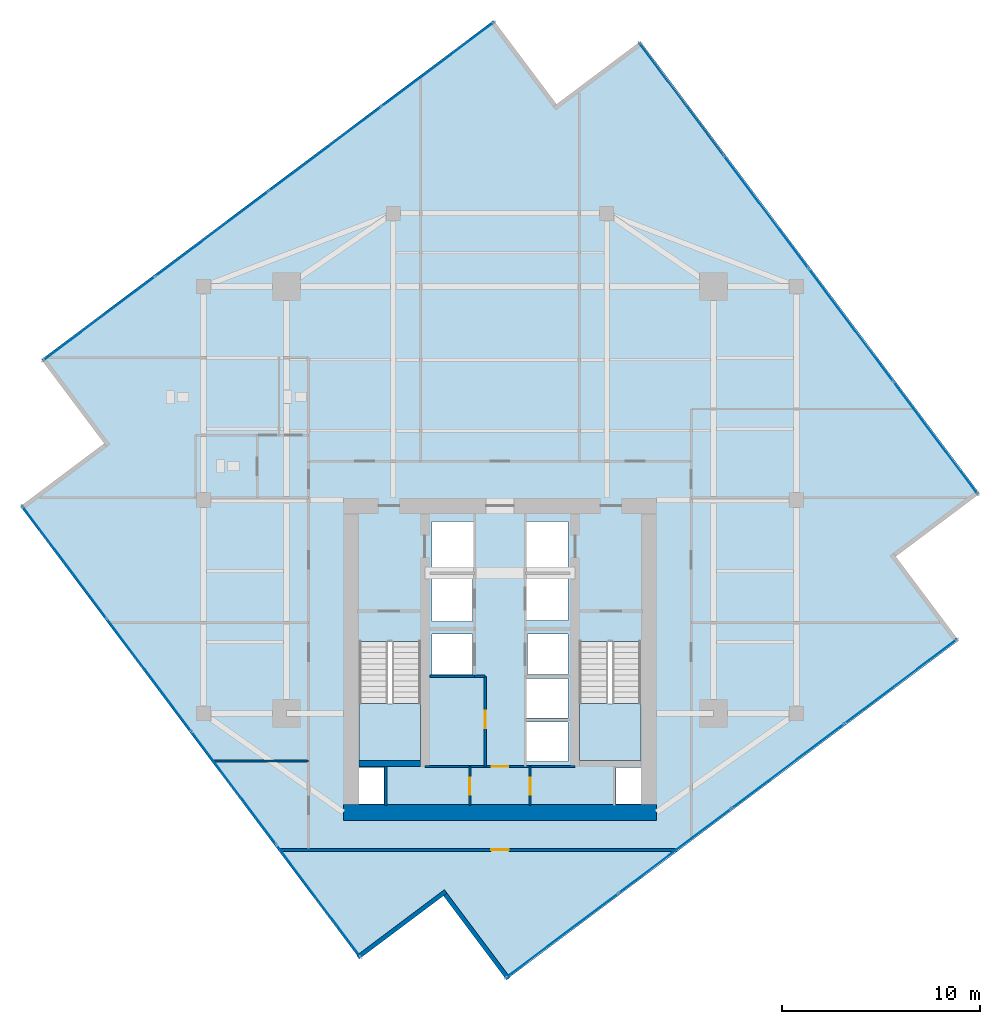
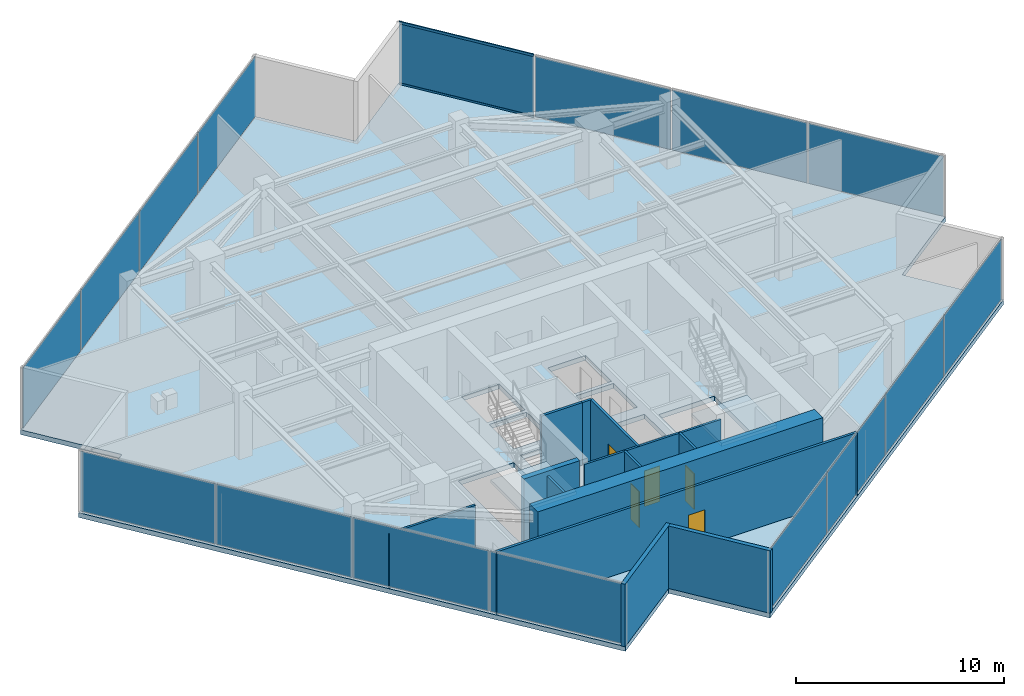
# One storey, part 17 of 21: 16 plates, 13 walls, 5 doors, 3 slabs, 2 members, 5 openings, 6 elements without a shape of their own.
"""IFC4 building model written with IfcOpenShell, lengths in metres."""

from ifc_helpers import new_model, si_unit, direction, frame, frame_2d, origin, origin_2d, place, context, subcontext, project, spatial, polyline, rectangle, hollow_rectangle, outline, extrude, source, transform, mapped, material, layer, layer_set, material_profile, profile_set, type_object, type_shapes, element, fill, aggregate, save


model = new_model("IFC4")

# Units and contexts
model_context = context("Model", 3, precision=1e-05, world=origin(), true_north=direction((0.0, 1.0)))
body_context = subcontext(model_context, "Body", "Model", "MODEL_VIEW")
ifc_project = project(units=[si_unit("LENGTHUNIT", "METRE"), si_unit("AREAUNIT", "SQUARE_METRE"), si_unit("VOLUMEUNIT", "CUBIC_METRE"), si_unit("PLANEANGLEUNIT", "RADIAN"), si_unit("MASSUNIT", "GRAM", prefix="KILO")], contexts=[model_context])

# Site, building, storey
site_placement = place(None, origin())
site = spatial("IfcSite", under=ifc_project, at=site_placement, CompositionType="ELEMENT")
building_placement = place(site_placement, origin())
building = spatial("IfcBuilding", under=site, at=building_placement, Name="Krantzveldt Concourse Tower", CompositionType="ELEMENT")
storey_placement = place(building_placement, frame((0.0, 0.0, 267.39990234375)))
storey = spatial("IfcBuildingStorey", under=building, at=storey_placement, Name="L65", CompositionType="ELEMENT", Elevation=267.39990234375)

# Curtain wall, members
ifc_material_1 = material(Name="Anodised aluminium 6063-T6", Category="aluminium")
curtain_wall_type = type_object("IfcCurtainWallType", Name="CW4", PredefinedType="USERDEFINED", material=ifc_material_1)
curtain_wall_1_placement = place(storey_placement, origin())
curtain_wall_1 = element("IfcCurtainWall", 1, at=curtain_wall_1_placement, inside=storey, type_object=curtain_wall_type, Name="CW-L65-F10", ObjectType="UNITISED CURTAIN WALL", PredefinedType="USERDEFINED")
ifc_material_profile = material_profile(ifc_material_1, hollow_rectangle(XDim=0.070068359375, YDim=0.139892578125, WallThickness=0.0048828125, at=origin_2d()), Name="Anodised aluminium 6063-T6", Category="aluminium")
ifc_profile_set = profile_set([ifc_material_profile], Name="Anodised aluminium 6063-T6 - ALU-TRAN 140x70x5")
member_type = type_object("IfcMemberType", Name="CW-TRN-150", PredefinedType="USERDEFINED", material=ifc_profile_set)
shared_shape_1 = source(origin(), body_context, "Body", "SweptSolid", [
    extrude(hollow_rectangle(XDim=0.070068359375, YDim=0.139892578125, WallThickness=0.0048828125, at=origin_2d()), origin(), (0.0, 0.0, 1.0), 7.044921875),
])
type_shapes(member_type, [shared_shape_1])
member_1_placement = place(storey_placement, frame((47.29541015625, 44.155029296875, 0.03515625), z_axis=(-0.600083168368, 0.799937616969, 0.0), x_axis=(-0.799937616969, -0.600083168368, 0.0)))
member_1 = element("IfcMember", 2, at=member_1_placement, type_object=member_type, Name="CW-Z56 transom 4.1", ObjectType="TRANSOM", PredefinedType="USERDEFINED", context=body_context, shape_type="MappedRepresentation", body=[
    mapped(shared_shape_1, transform((0.0, 0.0, 0.0), x_axis=(1.0, 0.0, 0.0), y_axis=(0.0, 1.0, 0.0), z_axis=(0.0, 0.0, 1.0), scale=1.0)),
])
member_2_placement = place(storey_placement, frame((47.29541015625, 44.155029296875, 3.635009765625), z_axis=(-0.600083168368, 0.799937616969, 0.0), x_axis=(-0.799937616969, -0.600083168368, 0.0)))
member_2 = element("IfcMember", 3, at=member_2_placement, type_object=member_type, Name="CW-Z56 transom 4.2", ObjectType="TRANSOM", PredefinedType="USERDEFINED", context=body_context, shape_type="MappedRepresentation", body=[
    mapped(shared_shape_1, transform((0.0, 0.0, 0.0), x_axis=(1.0, 0.0, 0.0), y_axis=(0.0, 1.0, 0.0), z_axis=(0.0, 0.0, 1.0), scale=1.0)),
])

# Stair, slab
ifc_material_2 = material(Name="Precast concrete C40/50", Category="concrete")
stair_type = type_object("IfcStairType", Name="STR-CORE-DOGLEG", PredefinedType="HALF_TURN_STAIR", material=ifc_material_2)
stair_1_placement = place(storey_placement, origin())
stair_1 = element("IfcStair", 4, at=stair_1_placement, inside=storey, type_object=stair_type, Name="L65 Protected Escape Stair ST-1", PredefinedType="HALF_TURN_STAIR")
ifc_layer_1 = layer(ifc_material_2, 0.199951171875, Name="Precast concrete C40/50", Category="concrete")
ifc_layer_set_1 = layer_set([ifc_layer_1], Name="Precast concrete C40/50 (SL-LANDING-200)")
slab_type_1 = type_object("IfcSlabType", Name="SL-LANDING-200", PredefinedType="LANDING", material=ifc_layer_set_1)
slab_1_placement = place(storey_placement, frame((0.0, 0.0, 1.775146484375)))
slab_1 = element("IfcSlab", 5, at=slab_1_placement, type_object=slab_type_1, Name="ST-1 landing 1", PredefinedType="LANDING", context=body_context, shape_type="SweptSolid", body=[
    extrude(outline(polyline([(28.8798828125, 16.4150390625), (28.8798828125, 13.52001953125), (31.97998046875, 13.52001953125), (31.97998046875, 16.4150390625), (28.8798828125, 16.4150390625)])), origin(), (0.0, 0.0, 1.0), 0.199951171875),
])
aggregate(stair_1, [slab_1])

stair_2_placement = place(storey_placement, origin())
stair_2 = element("IfcStair", 6, at=stair_2_placement, inside=storey, type_object=stair_type, Name="L65 Protected Escape Stair ST-2", PredefinedType="HALF_TURN_STAIR")
slab_2_placement = place(storey_placement, frame((0.0, 0.0, 1.775146484375)))
slab_2 = element("IfcSlab", 7, at=slab_2_placement, type_object=slab_type_1, Name="ST-2 landing 1", PredefinedType="LANDING", context=body_context, shape_type="SweptSolid", body=[
    extrude(outline(polyline([(40.02001953125, 16.4150390625), (40.02001953125, 13.52001953125), (43.1201171875, 13.52001953125), (43.1201171875, 16.4150390625), (40.02001953125, 16.4150390625)])), origin(), (0.0, 0.0, 1.0), 0.199951171875),
])
aggregate(stair_2, [slab_2])

# Slab
ifc_material_3 = material(Name="Concrete C40/50", Category="concrete")
ifc_layer_2 = layer(ifc_material_3, 0.280029296875, Name="Concrete C40/50", Category="concrete")
ifc_layer_set_2 = layer_set([ifc_layer_2], Name="Concrete C40/50 (SL-SL-TWR280)")
slab_type_2 = type_object("IfcSlabType", Name="SL-SL-TWR280", PredefinedType="FLOOR", material=ifc_layer_set_2)
slab_3_placement = place(storey_placement, frame((0.0, 0.0, -0.27978515625)))
element("IfcSlab", 8, at=slab_3_placement, inside=storey, type_object=slab_type_2, Name="SL-L65-MAIN", PredefinedType="FLOOR", context=body_context, shape_type="SweptSolid", body=[
    extrude(outline(polyline([(38.858154296875, 46.72021484375), (35.677734375, 50.9599609375), (12.79931640625, 33.7978515625), (15.979736328125, 29.55810546875), (11.739990234375, 26.3779296875), (28.902099609375, 3.499267578125), (33.141845703125, 6.6796875), (36.322265625, 2.43994140625), (59.20068359375, 19.60205078125), (56.020263671875, 23.841796875), (60.260009765625, 27.022216796875), (43.097900390625, 49.900634765625), (38.858154296875, 46.72021484375)]), holes=[polyline([(28.8798828125, 19.547607421875), (28.8798828125, 13.52001953125), (31.97998046875, 13.52001953125), (31.97998046875, 19.547607421875), (28.8798828125, 19.547607421875)]), polyline([(40.02001953125, 19.547607421875), (40.02001953125, 13.52001953125), (43.1201171875, 13.52001953125), (43.1201171875, 19.547607421875), (40.02001953125, 19.547607421875)]), polyline([(32.550048828125, 23.10009765625), (34.64990234375, 23.10009765625), (34.64990234375, 25.60009765625), (32.550048828125, 25.60009765625), (32.550048828125, 23.10009765625)]), polyline([(37.35009765625, 23.10009765625), (39.449951171875, 23.10009765625), (39.449951171875, 25.60009765625), (37.35009765625, 25.60009765625), (37.35009765625, 23.10009765625)]), polyline([(37.35009765625, 20.60009765625), (39.449951171875, 20.60009765625), (39.449951171875, 22.89990234375), (37.35009765625, 22.89990234375), (37.35009765625, 20.60009765625)]), polyline([(37.35009765625, 13.47998046875), (39.449951171875, 13.47998046875), (39.449951171875, 15.47998046875), (37.35009765625, 15.47998046875), (37.35009765625, 13.47998046875)]), polyline([(37.35009765625, 15.679931640625), (39.449951171875, 15.679931640625), (39.449951171875, 17.679931640625), (37.35009765625, 17.679931640625), (37.35009765625, 15.679931640625)]), polyline([(32.550048828125, 20.550048828125), (34.6201171875, 20.550048828125), (34.6201171875, 22.89990234375), (32.550048828125, 22.89990234375), (32.550048828125, 20.550048828125)]), polyline([(32.550048828125, 17.8798828125), (34.6201171875, 17.8798828125), (34.6201171875, 19.919921875), (32.550048828125, 19.919921875), (32.550048828125, 17.8798828125)]), polyline([(37.3798828125, 17.8798828125), (39.449951171875, 17.8798828125), (39.449951171875, 19.919921875), (37.3798828125, 19.919921875), (37.3798828125, 17.8798828125)]), polyline([(28.8798828125, 11.320068359375), (30.139892578125, 11.320068359375), (30.139892578125, 13.159912109375), (28.8798828125, 13.159912109375), (28.8798828125, 11.320068359375)]), polyline([(41.860107421875, 11.320068359375), (43.1201171875, 11.320068359375), (43.1201171875, 13.159912109375), (41.860107421875, 13.159912109375), (41.860107421875, 11.320068359375)])]), origin(), (0.0, 0.0, 1.0), 0.27978515625),
])

# Curtain wall, plates
curtain_wall_2_placement = place(storey_placement, origin())
curtain_wall_2 = element("IfcCurtainWall", 9, at=curtain_wall_2_placement, inside=storey, type_object=curtain_wall_type, Name="CW-L65-F01", ObjectType="UNITISED CURTAIN WALL", PredefinedType="USERDEFINED")
ifc_material_4 = material(Name="Bronze-tinted laminated low-E IGU glass", Category="glass")
ifc_layer_3 = layer(ifc_material_4, 0.031982421875, Name="Bronze-tinted laminated low-E IGU glass", Category="glass")
ifc_layer_set_3 = layer_set([ifc_layer_3], Name="Bronze-tinted laminated low-E IGU glass (CW-GLZ-32)")
plate_type = type_object("IfcPlateType", Name="CW-GLZ-32", PredefinedType="CURTAIN_PANEL", material=ifc_layer_set_3)
shared_shape_2 = source(origin(), body_context, "Body", "SweptSolid", [
    extrude(rectangle(XDim=7.044921875, YDim=0.031982421875, at=origin_2d()), origin(), (0.0, 0.0, 1.0), 3.530029296875),
])
plate_1_placement = place(storey_placement, frame((32.858154296875, 48.732177734375, 0.0703125), z_axis=(0.0, 0.0, 1.0), x_axis=(-0.799946500313, -0.600071326292, 0.0)))
plate_1 = element("IfcPlate", 10, at=plate_1_placement, type_object=plate_type, Name="CW-Z56 panel 1.1", PredefinedType="CURTAIN_PANEL", context=body_context, shape_type="MappedRepresentation", body=[
    mapped(shared_shape_2, transform((0.0, 0.0, 0.0), x_axis=(1.0, 0.0, 0.0), y_axis=(0.0, 1.0, 0.0), z_axis=(0.0, 0.0, 1.0), scale=1.0)),
])
plate_2_placement = place(storey_placement, frame((15.727294921875, 35.881591796875, 0.0703125), z_axis=(0.0, 0.0, 1.0), x_axis=(-0.799946500313, -0.600071326292, 0.0)))
plate_2 = element("IfcPlate", 11, at=plate_2_placement, type_object=plate_type, Name="CW-Z56 panel 4.1", PredefinedType="CURTAIN_PANEL", context=body_context, shape_type="MappedRepresentation", body=[
    mapped(shared_shape_2, transform((0.0, 0.0, 0.0), x_axis=(1.0, 0.0, 0.0), y_axis=(0.0, 1.0, 0.0), z_axis=(0.0, 0.0, 1.0), scale=1.0)),
])

curtain_wall_3_placement = place(storey_placement, origin())
curtain_wall_3 = element("IfcCurtainWall", 12, at=curtain_wall_3_placement, inside=storey, type_object=curtain_wall_type, Name="CW-L65-F04", ObjectType="UNITISED CURTAIN WALL", PredefinedType="USERDEFINED")
plate_3_placement = place(storey_placement, frame((13.9677734375, 23.55810546875, 0.0703125), z_axis=(0.0, 0.0, 1.0), x_axis=(0.600071326292, -0.799946500313, 0.0)))
plate_3 = element("IfcPlate", 13, at=plate_3_placement, type_object=plate_type, Name="CW-Z56 panel 1.1", PredefinedType="CURTAIN_PANEL", context=body_context, shape_type="MappedRepresentation", body=[
    mapped(shared_shape_2, transform((0.0, 0.0, 0.0), x_axis=(1.0, 0.0, 0.0), y_axis=(0.0, 1.0, 0.0), z_axis=(0.0, 0.0, 1.0), scale=1.0)),
])
plate_4_placement = place(storey_placement, frame((26.818359375, 6.42724609375, 0.0703125), z_axis=(0.0, 0.0, 1.0), x_axis=(0.600071326292, -0.799946500313, 0.0)))
plate_4 = element("IfcPlate", 14, at=plate_4_placement, type_object=plate_type, Name="CW-Z56 panel 4.1", PredefinedType="CURTAIN_PANEL", context=body_context, shape_type="MappedRepresentation", body=[
    mapped(shared_shape_2, transform((0.0, 0.0, 0.0), x_axis=(1.0, 0.0, 0.0), y_axis=(0.0, 1.0, 0.0), z_axis=(0.0, 0.0, 1.0), scale=1.0)),
])

curtain_wall_4_placement = place(storey_placement, origin())
curtain_wall_4 = element("IfcCurtainWall", 15, at=curtain_wall_4_placement, inside=storey, type_object=curtain_wall_type, Name="CW-L65-F07", ObjectType="UNITISED CURTAIN WALL", PredefinedType="USERDEFINED")
plate_5_placement = place(storey_placement, frame((39.141845703125, 4.667724609375, 0.0703125), z_axis=(0.0, 0.0, 1.0), x_axis=(0.799946500313, 0.600071326292, 0.0)))
plate_5 = element("IfcPlate", 16, at=plate_5_placement, type_object=plate_type, Name="CW-Z56 panel 1.1", PredefinedType="CURTAIN_PANEL", context=body_context, shape_type="MappedRepresentation", body=[
    mapped(shared_shape_2, transform((0.0, 0.0, 0.0), x_axis=(1.0, 0.0, 0.0), y_axis=(0.0, 1.0, 0.0), z_axis=(0.0, 0.0, 1.0), scale=1.0)),
])
plate_6_placement = place(storey_placement, frame((56.272705078125, 17.518310546875, 0.0703125), z_axis=(0.0, 0.0, 1.0), x_axis=(0.799946500313, 0.600071326292, 0.0)))
plate_6 = element("IfcPlate", 17, at=plate_6_placement, type_object=plate_type, Name="CW-Z56 panel 4.1", PredefinedType="CURTAIN_PANEL", context=body_context, shape_type="MappedRepresentation", body=[
    mapped(shared_shape_2, transform((0.0, 0.0, 0.0), x_axis=(1.0, 0.0, 0.0), y_axis=(0.0, 1.0, 0.0), z_axis=(0.0, 0.0, 1.0), scale=1.0)),
])

# Plate
plate_7_placement = place(storey_placement, frame((58.0322265625, 29.842041015625, 0.0703125), z_axis=(0.0, 0.0, 1.0), x_axis=(-0.600071326292, 0.799946500313, 0.0)))
plate_7 = element("IfcPlate", 18, at=plate_7_placement, type_object=plate_type, Name="CW-Z56 panel 1.1", PredefinedType="CURTAIN_PANEL", context=body_context, shape_type="MappedRepresentation", body=[
    mapped(shared_shape_2, transform((0.0, 0.0, 0.0), x_axis=(1.0, 0.0, 0.0), y_axis=(0.0, 1.0, 0.0), z_axis=(0.0, 0.0, 1.0), scale=1.0)),
])

plate_8_placement = place(storey_placement, frame((45.181640625, 46.972900390625, 0.0703125), z_axis=(0.0, 0.0, 1.0), x_axis=(-0.600071326292, 0.799946500313, 0.0)))
plate_8 = element("IfcPlate", 19, at=plate_8_placement, type_object=plate_type, Name="CW-Z56 panel 4.1", PredefinedType="CURTAIN_PANEL", context=body_context, shape_type="MappedRepresentation", body=[
    mapped(shared_shape_2, transform((0.0, 0.0, 0.0), x_axis=(1.0, 0.0, 0.0), y_axis=(0.0, 1.0, 0.0), z_axis=(0.0, 0.0, 1.0), scale=1.0)),
])

shared_shape_3 = source(origin(), body_context, "Body", "SweptSolid", [
    extrude(rectangle(XDim=7.080078125, YDim=0.031982421875, at=origin_2d()), origin(), (0.0, 0.0, 1.0), 3.530029296875),
])
type_shapes(plate_type, [shared_shape_2, shared_shape_3])
plate_9_placement = place(storey_placement, frame((27.15234375, 44.4521484375, 0.0703125), z_axis=(0.0, 0.0, 1.0), x_axis=(-0.799946500313, -0.600071326292, 0.0)))
plate_9 = element("IfcPlate", 20, at=plate_9_placement, type_object=plate_type, Name="CW-Z56 panel 2.1", PredefinedType="CURTAIN_PANEL", context=body_context, shape_type="MappedRepresentation", body=[
    mapped(shared_shape_3, transform((0.0, 0.0, 0.0), x_axis=(1.0, 0.0, 0.0), y_axis=(0.0, 1.0, 0.0), z_axis=(0.0, 0.0, 1.0), scale=1.0)),
])

plate_10_placement = place(storey_placement, frame((21.432861328125, 40.16162109375, 0.0703125), z_axis=(0.0, 0.0, 1.0), x_axis=(-0.799946500313, -0.600071326292, 0.0)))
plate_10 = element("IfcPlate", 21, at=plate_10_placement, type_object=plate_type, Name="CW-Z56 panel 3.1", PredefinedType="CURTAIN_PANEL", context=body_context, shape_type="MappedRepresentation", body=[
    mapped(shared_shape_3, transform((0.0, 0.0, 0.0), x_axis=(1.0, 0.0, 0.0), y_axis=(0.0, 1.0, 0.0), z_axis=(0.0, 0.0, 1.0), scale=1.0)),
])

aggregate(curtain_wall_2, [plate_1, plate_9, plate_10, plate_2])

plate_11_placement = place(storey_placement, frame((18.247802734375, 17.8525390625, 0.0703125), z_axis=(0.0, 0.0, 1.0), x_axis=(0.600071326292, -0.799946500313, 0.0)))
plate_11 = element("IfcPlate", 22, at=plate_11_placement, type_object=plate_type, Name="CW-Z56 panel 2.1", PredefinedType="CURTAIN_PANEL", context=body_context, shape_type="MappedRepresentation", body=[
    mapped(shared_shape_3, transform((0.0, 0.0, 0.0), x_axis=(1.0, 0.0, 0.0), y_axis=(0.0, 1.0, 0.0), z_axis=(0.0, 0.0, 1.0), scale=1.0)),
])

plate_12_placement = place(storey_placement, frame((22.538330078125, 12.1328125, 0.0703125), z_axis=(0.0, 0.0, 1.0), x_axis=(0.600071326292, -0.799946500313, 0.0)))
plate_12 = element("IfcPlate", 23, at=plate_12_placement, type_object=plate_type, Name="CW-Z56 panel 3.1", PredefinedType="CURTAIN_PANEL", context=body_context, shape_type="MappedRepresentation", body=[
    mapped(shared_shape_3, transform((0.0, 0.0, 0.0), x_axis=(1.0, 0.0, 0.0), y_axis=(0.0, 1.0, 0.0), z_axis=(0.0, 0.0, 1.0), scale=1.0)),
])

aggregate(curtain_wall_3, [plate_3, plate_11, plate_12, plate_4])

plate_13_placement = place(storey_placement, frame((44.84765625, 8.94775390625, 0.0703125), z_axis=(0.0, 0.0, 1.0), x_axis=(0.799946500313, 0.600071326292, 0.0)))
plate_13 = element("IfcPlate", 24, at=plate_13_placement, type_object=plate_type, Name="CW-Z56 panel 2.1", PredefinedType="CURTAIN_PANEL", context=body_context, shape_type="MappedRepresentation", body=[
    mapped(shared_shape_3, transform((0.0, 0.0, 0.0), x_axis=(1.0, 0.0, 0.0), y_axis=(0.0, 1.0, 0.0), z_axis=(0.0, 0.0, 1.0), scale=1.0)),
])

plate_14_placement = place(storey_placement, frame((50.567138671875, 13.23828125, 0.0703125), z_axis=(0.0, 0.0, 1.0), x_axis=(0.799946500313, 0.600071326292, 0.0)))
plate_14 = element("IfcPlate", 25, at=plate_14_placement, type_object=plate_type, Name="CW-Z56 panel 3.1", PredefinedType="CURTAIN_PANEL", context=body_context, shape_type="MappedRepresentation", body=[
    mapped(shared_shape_3, transform((0.0, 0.0, 0.0), x_axis=(1.0, 0.0, 0.0), y_axis=(0.0, 1.0, 0.0), z_axis=(0.0, 0.0, 1.0), scale=1.0)),
])

aggregate(curtain_wall_4, [plate_5, plate_13, plate_14, plate_6])

plate_15_placement = place(storey_placement, frame((53.752197265625, 35.547607421875, 0.0703125), z_axis=(0.0, 0.0, 1.0), x_axis=(-0.600071326292, 0.799946500313, 0.0)))
plate_15 = element("IfcPlate", 26, at=plate_15_placement, type_object=plate_type, Name="CW-Z56 panel 2.1", PredefinedType="CURTAIN_PANEL", context=body_context, shape_type="MappedRepresentation", body=[
    mapped(shared_shape_3, transform((0.0, 0.0, 0.0), x_axis=(1.0, 0.0, 0.0), y_axis=(0.0, 1.0, 0.0), z_axis=(0.0, 0.0, 1.0), scale=1.0)),
])

plate_16_placement = place(storey_placement, frame((49.461669921875, 41.26708984375, 0.0703125), z_axis=(0.0, 0.0, 1.0), x_axis=(-0.600071326292, 0.799946500313, 0.0)))
plate_16 = element("IfcPlate", 27, at=plate_16_placement, type_object=plate_type, Name="CW-Z56 panel 3.1", PredefinedType="CURTAIN_PANEL", context=body_context, shape_type="MappedRepresentation", body=[
    mapped(shared_shape_3, transform((0.0, 0.0, 0.0), x_axis=(1.0, 0.0, 0.0), y_axis=(0.0, 1.0, 0.0), z_axis=(0.0, 0.0, 1.0), scale=1.0)),
])

aggregate(curtain_wall_1, [plate_7, plate_15, plate_16, member_1, member_2, plate_8])

# Walls
ifc_layer_4 = layer(ifc_material_1, 0.219970703125, Name="Anodised aluminium 6063-T6", Category="aluminium")
ifc_layer_set_4 = layer_set([ifc_layer_4], Name="Anodised aluminium 6063-T6 (WL-EXT-NOTCH220)")
wall_type_1 = type_object("IfcWallType", Name="WL-EXT-NOTCH220", PredefinedType="ELEMENTEDWALL", material=ifc_layer_set_4)
wall_1_placement = place(storey_placement, frame((28.816162109375, 3.572265625, 0.0), z_axis=(0.0, 0.0, 1.0), x_axis=(0.799936592369, 0.600084534203, 0.0)))
element("IfcWall", 28, at=wall_1_placement, inside=storey, type_object=wall_type_1, Name="EW-L65-NCH05", PredefinedType="ELEMENTEDWALL", context=body_context, shape_type="SweptSolid", body=[
    extrude(rectangle(XDim=5.544921875, YDim=0.219970703125, at=frame_2d((2.7724609375, 0.0))), origin(), (0.0, 0.0, 1.0), 3.670166015625),
])
wall_2_placement = place(storey_placement, frame((33.229736328125, 6.745849609375, 0.0), z_axis=(0.0, 0.0, 1.0), x_axis=(0.600058683831, -0.799955983763, 0.0)))
element("IfcWall", 29, at=wall_2_placement, inside=storey, type_object=wall_type_1, Name="EW-L65-NCH06", PredefinedType="ELEMENTEDWALL", context=body_context, shape_type="SweptSolid", body=[
    extrude(rectangle(XDim=5.324951171875, YDim=0.219970703125, at=frame_2d((2.66259765625, 0.0))), origin(), (0.0, 0.0, 1.0), 3.670166015625),
])

# Wall, opening, door
ifc_material_5 = material(Name="Fire-rated gypsum plasterboard on steel stud", Category="steel")
ifc_layer_5 = layer(ifc_material_5, 0.1201171875, Name="Fire-rated gypsum plasterboard on steel stud", Category="steel")
ifc_layer_set_5 = layer_set([ifc_layer_5], Name="Fire-rated gypsum plasterboard on steel stud (WL-PART-120)")
wall_type_2 = type_object("IfcWallType", Name="WL-PART-120", PredefinedType="PARTITIONING", material=ifc_layer_set_5)
wall_3_placement = place(storey_placement, frame((32.2099609375, 13.219970703125, 0.0), z_axis=(0.0, 0.0, 1.0), x_axis=(1.0, 0.0, 0.0)))
wall_3 = element("IfcWall", 30, at=wall_3_placement, inside=storey, type_object=wall_type_2, Name="WP-L65-CS2H", PredefinedType="PARTITIONING", context=body_context, shape_type="SweptSolid", body=[
    extrude(rectangle(XDim=7.580078125, YDim=0.1201171875, at=frame_2d((3.7900390625, 0.0))), origin(), (0.0, 0.0, 1.0), 3.670166015625),
])
opening_1_placement = place(wall_3_placement, frame((3.364990234375, 0.0, 0.0)))
opening_1 = element("IfcOpeningElement", 31, at=opening_1_placement, cuts=wall_3, Name="Opening D-IN085", PredefinedType="OPENING", context=body_context, shape_type="SweptSolid", body=[
    extrude(rectangle(XDim=0.85009765625, YDim=2.10009765625, at=frame_2d((0.425048828125, 1.050048828125))), frame((0.0, 0.070068359375, 0.0), z_axis=(0.0, -1.0, 0.0), x_axis=(1.0, 0.0, 0.0)), (0.0, 0.0, 1.0), 0.14013671875),
])
ifc_material_6 = material(Name="Hardwood timber", Category="wood")
door_type_1 = type_object("IfcDoorType", Name="DR-INT-850", OperationType="SINGLE_SWING_LEFT", PredefinedType="DOOR", material=ifc_material_6)
door_1_placement = place(opening_1_placement, origin())
door_1 = element("IfcDoor", 32, at=door_1_placement, inside=storey, type_object=door_type_1, Name="DR-L65-LLBS", OperationType="SINGLE_SWING_RIGHT", OverallHeight=2.10009765625, OverallWidth=0.85009765625, PredefinedType="DOOR", context=body_context, shape_type="SweptSolid", body=[
    extrude(rectangle(XDim=0.85009765625, YDim=2.10009765625, at=frame_2d((0.425048828125, 1.050048828125))), frame((0.0, 0.02490234375, 0.0), z_axis=(0.0, -1.0, 0.0), x_axis=(1.0, 0.0, 0.0)), (0.0, 0.0, 1.0), 0.050048828125),
])
fill(opening_1, door_1)

wall_4_placement = place(storey_placement, frame((34.47998046875, 11.25, 0.0), z_axis=(0.0, 0.0, 1.0), x_axis=(0.0, 1.0, 0.0)))
wall_4 = element("IfcWall", 33, at=wall_4_placement, inside=storey, type_object=wall_type_2, Name="WP-L65-CSB-VL", PredefinedType="PARTITIONING", context=body_context, shape_type="SweptSolid", body=[
    extrude(rectangle(XDim=1.969970703125, YDim=0.1201171875, at=frame_2d((0.98486328125, 0.0))), origin(), (0.0, 0.0, 1.0), 3.670166015625),
])
opening_2_placement = place(wall_4_placement, frame((0.544921875, 0.0, 0.0)))
opening_2 = element("IfcOpeningElement", 34, at=opening_2_placement, cuts=wall_4, Name="Opening D-IN085", PredefinedType="OPENING", context=body_context, shape_type="SweptSolid", body=[
    extrude(rectangle(XDim=0.85009765625, YDim=2.10009765625, at=frame_2d((0.425048828125, 1.050048828125))), frame((0.0, 0.070068359375, 0.0), z_axis=(0.0, -1.0, 0.0), x_axis=(1.0, 0.0, 0.0)), (0.0, 0.0, 1.0), 0.14013671875),
])
door_2_placement = place(opening_2_placement, origin())
door_2 = element("IfcDoor", 35, at=door_2_placement, inside=storey, type_object=door_type_1, Name="DR-L65-CSB1", OperationType="SINGLE_SWING_LEFT", OverallHeight=2.10009765625, OverallWidth=0.85009765625, PredefinedType="DOOR", context=body_context, shape_type="SweptSolid", body=[
    extrude(rectangle(XDim=0.85009765625, YDim=2.10009765625, at=frame_2d((0.425048828125, 1.050048828125))), frame((0.0, 0.02490234375, 0.0), z_axis=(0.0, -1.0, 0.0), x_axis=(1.0, 0.0, 0.0)), (0.0, 0.0, 1.0), 0.050048828125),
])
fill(opening_2, door_2)

wall_5_placement = place(storey_placement, frame((37.52001953125, 11.25, 0.0), z_axis=(0.0, 0.0, 1.0), x_axis=(0.0, 1.0, 0.0)))
wall_5 = element("IfcWall", 36, at=wall_5_placement, inside=storey, type_object=wall_type_2, Name="WP-L65-CSB-VR", PredefinedType="PARTITIONING", context=body_context, shape_type="SweptSolid", body=[
    extrude(rectangle(XDim=1.969970703125, YDim=0.1201171875, at=frame_2d((0.98486328125, 0.0))), origin(), (0.0, 0.0, 1.0), 3.670166015625),
])
opening_3_placement = place(wall_5_placement, frame((0.544921875, 0.0, 0.0)))
opening_3 = element("IfcOpeningElement", 37, at=opening_3_placement, cuts=wall_5, Name="Opening D-IN085", PredefinedType="OPENING", context=body_context, shape_type="SweptSolid", body=[
    extrude(rectangle(XDim=0.85009765625, YDim=2.10009765625, at=frame_2d((0.425048828125, 1.050048828125))), frame((0.0, 0.070068359375, 0.0), z_axis=(0.0, -1.0, 0.0), x_axis=(1.0, 0.0, 0.0)), (0.0, 0.0, 1.0), 0.14013671875),
])
door_3_placement = place(opening_3_placement, origin())
door_3 = element("IfcDoor", 38, at=door_3_placement, inside=storey, type_object=door_type_1, Name="DR-L65-CSB2", OperationType="SINGLE_SWING_RIGHT", OverallHeight=2.10009765625, OverallWidth=0.85009765625, PredefinedType="DOOR", context=body_context, shape_type="SweptSolid", body=[
    extrude(rectangle(XDim=0.85009765625, YDim=2.10009765625, at=frame_2d((0.425048828125, 1.050048828125))), frame((0.0, 0.02490234375, 0.0), z_axis=(0.0, -1.0, 0.0), x_axis=(1.0, 0.0, 0.0)), (0.0, 0.0, 1.0), 0.050048828125),
])
fill(opening_3, door_3)

# Wall
wall_6_placement = place(storey_placement, frame((21.5126953125, 13.5, 0.0), z_axis=(0.0, 0.0, 1.0), x_axis=(1.0, 0.0, 0.0)))
element("IfcWall", 39, at=wall_6_placement, inside=storey, type_object=wall_type_2, Name="WP-L65-WD1", PredefinedType="PARTITIONING", context=body_context, shape_type="SweptSolid", body=[
    extrude(rectangle(XDim=4.807373046875, YDim=0.1201171875, at=frame_2d((2.40380859375, 0.0))), origin(), (0.0, 0.0, 1.0), 3.18017578125),
])

# Wall, opening, door
ifc_layer_6 = layer(ifc_material_5, 0.139892578125, Name="Fire-rated gypsum plasterboard on steel stud", Category="steel")
ifc_layer_set_6 = layer_set([ifc_layer_6], Name="Fire-rated gypsum plasterboard on steel stud (WL-PART-140)")
wall_type_3 = type_object("IfcWallType", Name="WL-PART-140", PredefinedType="PARTITIONING", material=ifc_layer_set_6)
wall_7_placement = place(storey_placement, frame((24.88818359375, 9.0, 0.0), z_axis=(0.0, 0.0, 1.0), x_axis=(1.0, 0.0, 0.0)))
wall_7 = element("IfcWall", 40, at=wall_7_placement, inside=storey, type_object=wall_type_3, Name="WP-L65-CSBOT", PredefinedType="PARTITIONING", context=body_context, shape_type="SweptSolid", body=[
    extrude(rectangle(XDim=20.029052734375, YDim=0.139892578125, at=frame_2d((10.0146484375, 0.0))), origin(), (0.0, 0.0, 1.0), 3.670166015625),
])
opening_4_placement = place(wall_7_placement, frame((10.66162109375, 0.0, 0.0)))
opening_4 = element("IfcOpeningElement", 41, at=opening_4_placement, cuts=wall_7, Name="Opening D-IN090", PredefinedType="OPENING", context=body_context, shape_type="SweptSolid", body=[
    extrude(rectangle(XDim=0.89990234375, YDim=2.10009765625, at=frame_2d((0.449951171875, 1.050048828125))), frame((0.0, 0.080078125, 0.0), z_axis=(0.0, -1.0, 0.0), x_axis=(1.0, 0.0, 0.0)), (0.0, 0.0, 1.0), 0.159912109375),
])
door_type_2 = type_object("IfcDoorType", Name="DR-INT-900", OperationType="SINGLE_SWING_LEFT", PredefinedType="DOOR", material=ifc_material_6)
door_4_placement = place(opening_4_placement, origin())
door_4 = element("IfcDoor", 42, at=door_4_placement, inside=storey, type_object=door_type_2, Name="DR-L65-SR1", OperationType="SINGLE_SWING_LEFT", OverallHeight=2.10009765625, OverallWidth=0.89990234375, PredefinedType="DOOR", context=body_context, shape_type="SweptSolid", body=[
    extrude(rectangle(XDim=0.89990234375, YDim=2.10009765625, at=frame_2d((0.449951171875, 1.050048828125))), frame((0.0, 0.02490234375, 0.0), z_axis=(0.0, -1.0, 0.0), x_axis=(1.0, 0.0, 0.0)), (0.0, 0.0, 1.0), 0.050048828125),
])
fill(opening_4, door_4)

# Wall
ifc_layer_7 = layer(ifc_material_5, 0.139892578125, Name="Fire-rated gypsum plasterboard on steel stud", Category="steel")
ifc_layer_set_7 = layer_set([ifc_layer_7], Name="Fire-rated gypsum plasterboard on steel stud (WL-PART-FR140)")
wall_type_4 = type_object("IfcWallType", Name="WL-PART-FR140", PredefinedType="PARTITIONING", material=ifc_layer_set_7)
wall_8_placement = place(storey_placement, frame((32.449951171875, 17.780029296875, 0.0), z_axis=(0.0, 0.0, 1.0), x_axis=(1.0, 0.0, 0.0)))
element("IfcWall", 43, at=wall_8_placement, inside=storey, type_object=wall_type_4, Name="WP-L65-DIVW2", PredefinedType="PARTITIONING", context=body_context, shape_type="SweptSolid", body=[
    extrude(rectangle(XDim=2.27001953125, YDim=0.139892578125, at=frame_2d((1.135009765625, 0.0))), origin(), (0.0, 0.0, 1.0), 3.670166015625),
])

# Wall, opening, door
wall_9_placement = place(storey_placement, frame((35.25, 13.219970703125, 0.0), z_axis=(0.0, 0.0, 1.0), x_axis=(0.0, 1.0, 0.0)))
wall_9 = element("IfcWall", 44, at=wall_9_placement, inside=storey, type_object=wall_type_4, Name="WP-L65-RECW", PredefinedType="PARTITIONING", context=body_context, shape_type="SweptSolid", body=[
    extrude(rectangle(XDim=4.56005859375, YDim=0.139892578125, at=frame_2d((2.280029296875, 0.0))), origin(), (0.0, 0.0, 1.0), 3.670166015625),
])
opening_5_placement = place(wall_9_placement, frame((1.929931640625, 0.0, 0.0)))
opening_5 = element("IfcOpeningElement", 45, at=opening_5_placement, cuts=wall_9, Name="Opening D-FD090", PredefinedType="OPENING", context=body_context, shape_type="SweptSolid", body=[
    extrude(rectangle(XDim=0.89990234375, YDim=2.10009765625, at=frame_2d((0.449951171875, 1.050048828125))), frame((0.0, 0.080078125, 0.0), z_axis=(0.0, -1.0, 0.0), x_axis=(1.0, 0.0, 0.0)), (0.0, 0.0, 1.0), 0.159912109375),
])
door_type_3 = type_object("IfcDoorType", Name="DR-FD60-900", OperationType="SINGLE_SWING_LEFT", PredefinedType="DOOR", material=ifc_material_6)
door_5_placement = place(opening_5_placement, origin())
door_5 = element("IfcDoor", 46, at=door_5_placement, inside=storey, type_object=door_type_3, Name="DR-L65-RECW", OperationType="SINGLE_SWING_LEFT", OverallHeight=2.10009765625, OverallWidth=0.89990234375, PredefinedType="DOOR", context=body_context, shape_type="SweptSolid", body=[
    extrude(rectangle(XDim=0.89990234375, YDim=2.10009765625, at=frame_2d((0.449951171875, 1.050048828125))), frame((0.0, 0.02490234375, 0.0), z_axis=(0.0, -1.0, 0.0), x_axis=(1.0, 0.0, 0.0)), (0.0, 0.0, 1.0), 0.050048828125),
])
fill(opening_5, door_5)

# Walls
wall_10_placement = place(storey_placement, frame((34.719970703125, 17.780029296875, 0.0), z_axis=(0.0, 0.0, 1.0), x_axis=(1.0, 0.0, 0.0)))
element("IfcWall", 47, at=wall_10_placement, inside=storey, type_object=wall_type_4, Name="WP-L65-RECWN", PredefinedType="PARTITIONING", context=body_context, shape_type="SweptSolid", body=[
    extrude(rectangle(XDim=0.530029296875, YDim=0.139892578125, at=frame_2d((0.26513671875, 0.0))), origin(), (0.0, 0.0, 1.0), 3.670166015625),
])
wall_11_placement = place(storey_placement, frame((30.219970703125, 11.25, 0.0), z_axis=(0.0, 0.0, 1.0), x_axis=(0.0, 1.0, 0.0)))
element("IfcWall", 48, at=wall_11_placement, inside=storey, type_object=wall_type_4, Name="WP-L65-RSW", PredefinedType="PARTITIONING", context=body_context, shape_type="SweptSolid", body=[
    extrude(rectangle(XDim=1.969970703125, YDim=0.1201171875, at=frame_2d((0.98486328125, 0.0))), origin(), (0.0, 0.0, 1.0), 3.670166015625),
])
ifc_material_7 = material(Name="Concrete C50/60", Category="concrete")
ifc_layer_8 = layer(ifc_material_7, 0.300048828125, Name="Concrete C50/60", Category="concrete")
ifc_layer_set_8 = layer_set([ifc_layer_8], Name="Concrete C50/60 (WL-SHEAR-300)")
wall_type_5 = type_object("IfcWallType", Name="WL-SHEAR-300", PredefinedType="SHEAR", material=ifc_layer_set_8)
wall_12_placement = place(storey_placement, frame((28.8798828125, 13.3701171875, 0.0), z_axis=(0.0, 0.0, 1.0), x_axis=(1.0, 0.0, 0.0)))
element("IfcWall", 49, at=wall_12_placement, inside=storey, type_object=wall_type_5, Name="CW-L65-ST1S", PredefinedType="SHEAR", context=body_context, shape_type="SweptSolid", body=[
    extrude(rectangle(XDim=3.10009765625, YDim=0.300048828125, at=frame_2d((1.550048828125, 0.0))), origin(), (0.0, 0.0, 1.0), 3.9501953125),
])
ifc_material_8 = material(Name="Concrete C60/75", Category="concrete")
ifc_layer_9 = layer(ifc_material_8, 0.800048828125, Name="Concrete C60/75", Category="concrete")
ifc_layer_set_9 = layer_set([ifc_layer_9], Name="Concrete C60/75 (WL-SHEAR-800)")
wall_type_6 = type_object("IfcWallType", Name="WL-SHEAR-800", PredefinedType="SHEAR", material=ifc_layer_set_9)
wall_13_placement = place(storey_placement, frame((28.080078125, 10.89990234375, 0.0), z_axis=(0.0, 0.0, 1.0), x_axis=(1.0, 0.0, 0.0)))
element("IfcWall", 50, at=wall_13_placement, inside=storey, type_object=wall_type_6, Name="CW-L65-S", PredefinedType="SHEAR", context=body_context, shape_type="SweptSolid", body=[
    extrude(rectangle(XDim=15.83984375, YDim=0.800048828125, at=frame_2d((7.919921875, 0.0))), origin(), (0.0, 0.0, 1.0), 3.9501953125),
])

save(model, "model.ifc")
